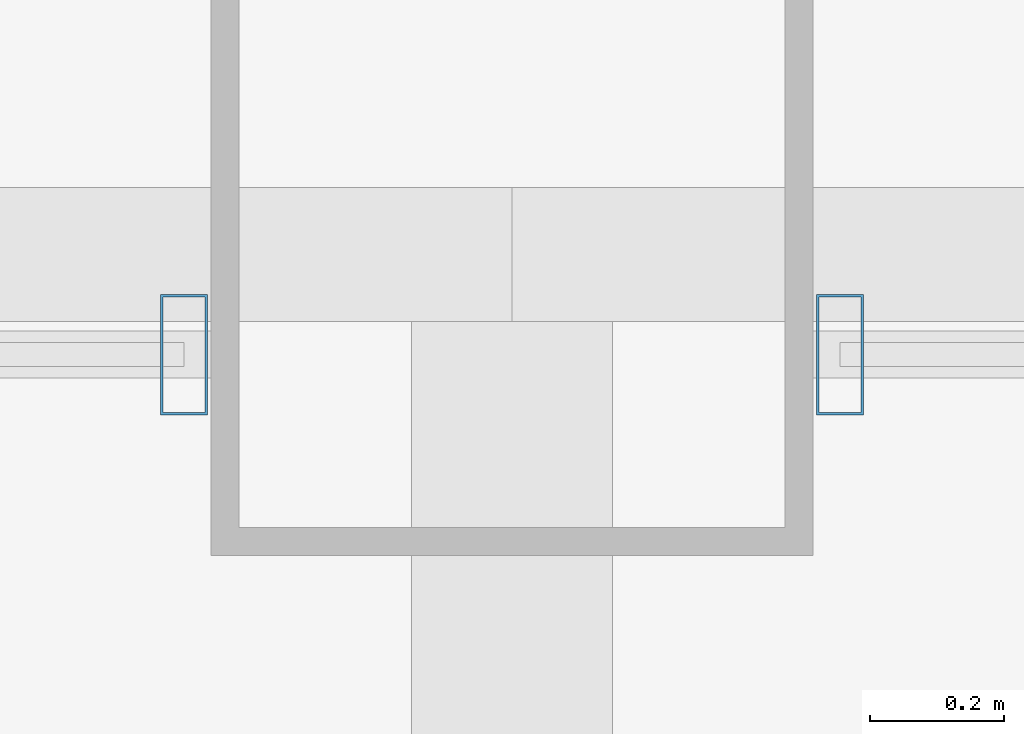
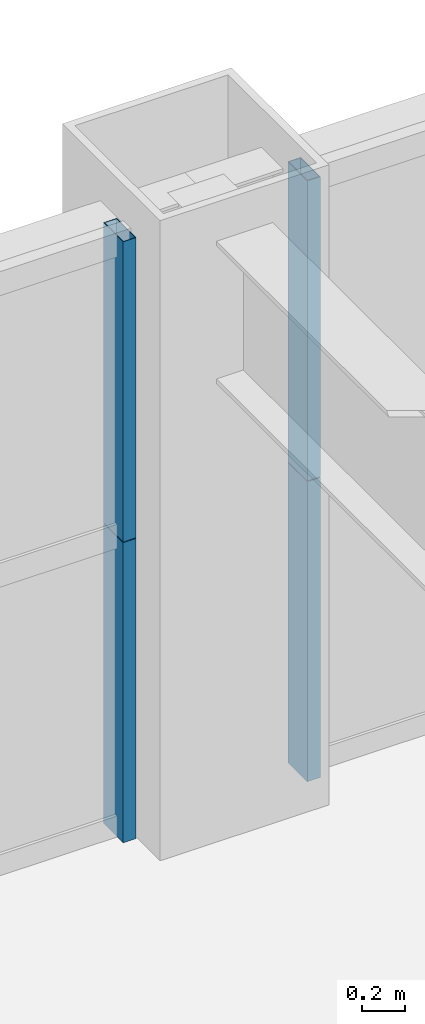
# One storey, part 31 of 45: 4 members, 2 elements without a shape of their own.
"""IFC4 building model written with IfcOpenShell, lengths in metres."""

import ifcopenshell
import ifcopenshell.guid

model = None  # the IFC model being written
_history = None  # IfcOwnerHistory: only IFC2X3 demands one
_inside = {}  # id of a spatial element -> (the spatial element, [elements in it])
_under = {}  # id of a project, library or spatial element -> (it, [spatial elements below it])
_declared = {}  # id of a project -> (the project, [libraries it declares])
_typed = {}  # id of a type object -> (the type object, [elements of that type])
_made_of = {}  # id of a material, layer set ... -> (it, [elements and type objects made of it])


def new_model(schema):
    """Start an empty IFC model of exactly this schema.

    Asked for "IFC4X3", IfcOpenShell would pick the latest addendum, in which some entities
    have other attributes; the version numbers below select the first issue.
    IFC2X3 requires an IfcOwnerHistory on every rooted entity: one is made here for all.
    """
    global model, _history
    if schema == "IFC4X3":
        model = ifcopenshell.file(schema_version=(4, 3, 0, 0))
    else:
        model = ifcopenshell.file(schema=schema)
    _inside.clear()
    _under.clear()
    _declared.clear()
    _typed.clear()
    _made_of.clear()
    _history = None
    if model.schema == "IFC2X3":
        org = make("IfcOrganization", Name="unknown")
        user = make(
            "IfcPersonAndOrganization",
            ThePerson=make("IfcPerson", FamilyName="unknown"),
            TheOrganization=org,
        )
        app = make(
            "IfcApplication",
            ApplicationDeveloper=org,
            Version="unknown",
            ApplicationFullName="unknown",
            ApplicationIdentifier="unknown",
        )
        _history = make(
            "IfcOwnerHistory",
            OwningUser=user,
            OwningApplication=app,
            ChangeAction="ADDED",
            CreationDate=0,
        )
    return model


def make(cls, **values):
    """One entity of the class cls with the attributes given. An attribute that is None is left unset."""
    return model.create_entity(
        cls, **{name: value for name, value in values.items() if value is not None}
    )


def rooted(cls, **values):
    """An entity with a GlobalId (a new one), such as an element, a storey or a relation."""
    return make(cls, GlobalId=ifcopenshell.guid.new(), OwnerHistory=_history, **values)


def si_unit(unit_type, name, prefix=None):
    """IfcSIUnit, for example si_unit("LENGTHUNIT", "METRE", prefix="MILLI")."""
    return make("IfcSIUnit", UnitType=unit_type, Prefix=prefix, Name=name)


def assignment(units):
    """IfcUnitAssignment: the units of a project."""
    return None if units is None else make("IfcUnitAssignment", Units=units)


def point(xyz):
    """IfcCartesianPoint."""
    return None if xyz is None else make("IfcCartesianPoint", Coordinates=xyz)


def direction(xyz):
    """IfcDirection."""
    return None if xyz is None else make("IfcDirection", DirectionRatios=xyz)


def frame(location, z_axis=None, x_axis=None):
    """IfcAxis2Placement3D, a coordinate frame: its origin and axes. An axis left out is left unset."""
    return make(
        "IfcAxis2Placement3D",
        Location=point(location),
        Axis=direction(z_axis),
        RefDirection=direction(x_axis),
    )


def frame_2d(location, x_axis=None):
    """IfcAxis2Placement2D, a coordinate frame in the plane: its origin and x axis."""
    return make(
        "IfcAxis2Placement2D", Location=point(location), RefDirection=direction(x_axis)
    )


def origin():
    """The frame at (0, 0, 0) with its axes left unset."""
    return frame((0.0, 0.0, 0.0))


def origin_2d():
    """The frame at (0, 0) in the plane with its x axis left unset."""
    return frame_2d((0.0, 0.0))


def place(relative_to, where):
    """IfcLocalPlacement: puts the frame where relative to a parent placement (None: the world)."""
    return make(
        "IfcLocalPlacement", PlacementRelTo=relative_to, RelativePlacement=where
    )


def context(
    kind, dimensions, precision=None, world=None, true_north=None, identifier=None
):
    """IfcGeometricRepresentationContext, for example the 3D "Model" context."""
    return make(
        "IfcGeometricRepresentationContext",
        ContextIdentifier=identifier,
        ContextType=kind,
        CoordinateSpaceDimension=dimensions,
        Precision=precision,
        WorldCoordinateSystem=world,
        TrueNorth=true_north,
    )


def subcontext(parent, identifier, kind, view, scale=None):
    """IfcGeometricRepresentationSubContext, for example "Body" below "Model"."""
    return make(
        "IfcGeometricRepresentationSubContext",
        ContextIdentifier=identifier,
        ContextType=kind,
        ParentContext=parent,
        TargetScale=scale,
        TargetView=view,
    )


def project(units=None, contexts=None):
    """IfcProject with its units and contexts."""
    return rooted(
        "IfcProject",
        Name="project",
        RepresentationContexts=contexts,
        UnitsInContext=assignment(units),
    )


def spatial(cls, under=None, at=None, **own):
    """A site, building, storey or space (cls), placed at a placement, below another one or the project."""
    s = rooted(cls, ObjectPlacement=at, **own)
    if under is not None:
        _under.setdefault(under.id(), (under, []))[1].append(s)
    return s


def profile(cls, at=None, kind="AREA", **sizes):
    """A parametric profile (cls). Its sizes go by their IFC names, for example OverallWidth=200.0."""
    return make(cls, ProfileType=kind, Position=at, **sizes)


def hollow_rectangle(**sizes):
    """IfcRectangleHollowProfileDef."""
    return profile("IfcRectangleHollowProfileDef", **sizes)


def extrude(swept, where, along, depth):
    """IfcExtrudedAreaSolid: the profile swept, set in the frame where, extruded along a direction by depth."""
    return make(
        "IfcExtrudedAreaSolid",
        SweptArea=swept,
        Position=where,
        ExtrudedDirection=direction(along),
        Depth=depth,
    )


def shape(context_of_items, identifier, shape_type, items):
    """IfcShapeRepresentation: the items that make up one representation, for example the "Body"."""
    return make(
        "IfcShapeRepresentation",
        ContextOfItems=context_of_items,
        RepresentationIdentifier=identifier,
        RepresentationType=shape_type,
        Items=items,
    )


def source(mapping_origin, context_of_items, identifier, shape_type, items):
    """IfcRepresentationMap: a shape defined once, which mapped items show again and again."""
    return make(
        "IfcRepresentationMap",
        MappingOrigin=mapping_origin,
        MappedRepresentation=shape(context_of_items, identifier, shape_type, items),
    )


def transform(
    local_origin,
    x_axis=None,
    y_axis=None,
    z_axis=None,
    scale=None,
    scale2=None,
    scale3=None,
    uniform=True,
):
    """IfcCartesianTransformationOperator3D, or its non-uniform kind. x_axis, y_axis, z_axis: its Axis1, 2, 3."""
    if uniform:
        return make(
            "IfcCartesianTransformationOperator3D",
            Axis1=direction(x_axis),
            Axis2=direction(y_axis),
            LocalOrigin=point(local_origin),
            Scale=scale,
            Axis3=direction(z_axis),
        )
    return make(
        "IfcCartesianTransformationOperator3DnonUniform",
        Axis1=direction(x_axis),
        Axis2=direction(y_axis),
        LocalOrigin=point(local_origin),
        Scale=scale,
        Axis3=direction(z_axis),
        Scale2=scale2,
        Scale3=scale3,
    )


def mapped(mapping_source, mapping_target):
    """IfcMappedItem: shows the shape of a source again, moved by a transform."""
    return make(
        "IfcMappedItem", MappingSource=mapping_source, MappingTarget=mapping_target
    )


def material(Name=None, Category=None):
    """IfcMaterial."""
    return make("IfcMaterial", Name=Name, Category=Category)


def layer(
    of_material, thickness, ventilated=None, Name=None, Category=None, Priority=None
):
    """IfcMaterialLayer: one layer of a wall or slab, of a material (None: an air gap)."""
    return make(
        "IfcMaterialLayer",
        Material=of_material,
        LayerThickness=thickness,
        IsVentilated=ventilated,
        Name=Name,
        Category=Category,
        Priority=Priority,
    )


def layer_set(layers, Name=None):
    """IfcMaterialLayerSet."""
    return make("IfcMaterialLayerSet", MaterialLayers=layers, LayerSetName=Name)


def material_profile(
    of_material, cross_section, Name=None, Category=None, Priority=None
):
    """IfcMaterialProfile: a cross section and its material."""
    return make(
        "IfcMaterialProfile",
        Name=Name,
        Material=of_material,
        Profile=cross_section,
        Priority=Priority,
        Category=Category,
    )


def profile_set(profiles, Name=None, composite=None):
    """IfcMaterialProfileSet."""
    return make(
        "IfcMaterialProfileSet",
        Name=Name,
        MaterialProfiles=profiles,
        CompositeProfile=composite,
    )


def made_of(thing, what):
    """Note that an element or type object is made of a material, layer set ...; save() writes the relation."""
    if what is not None:
        _made_of.setdefault(what.id(), (what, []))[1].append(thing)
    return thing


def type_object(cls, material=None, **own):
    """A type object (cls), such as IfcWallType, which elements share."""
    return made_of(rooted(cls, **own), material)


def element(
    cls,
    number,
    at=None,
    inside=None,
    cuts=None,
    type_object=None,
    material=None,
    context=None,
    identifier="Body",
    shape_type=None,
    held_by="IfcProductDefinitionShape",
    body=None,
    shapes=None,
    **own,
):
    """One element of the class cls, such as IfcWall. Its Tag is "e" and its number.

    at: its placement. inside: the storey or other place that contains it. cuts: it is an
    opening in that element (IfcRelVoidsElement). A single representation is given by context,
    identifier, shape_type and body (its items); several are given by shapes. held_by: the class
    of the entity that holds the representations. save() writes the other relations.
    """
    e = rooted(cls, Tag="e%d" % number, ObjectPlacement=at, **own)
    if body is not None:
        shapes = [shape(context, identifier, shape_type, body)]
    if shapes is not None:
        e.Representation = make(held_by, Representations=shapes)
    if inside is not None:
        _inside.setdefault(inside.id(), (inside, []))[1].append(e)
    if cuts is not None:
        rooted(
            "IfcRelVoidsElement", RelatingBuildingElement=cuts, RelatedOpeningElement=e
        )
    if type_object is not None:
        _typed.setdefault(type_object.id(), (type_object, []))[1].append(e)
    return made_of(e, material)


def aggregate(whole, parts):
    """IfcRelAggregates: a whole, such as a stair, and the parts it consists of."""
    return rooted("IfcRelAggregates", RelatingObject=whole, RelatedObjects=parts)


def save(model, path):
    """Write the relations noted so far, then the file.

    IfcRelAggregates (storeys below a building ...), IfcRelContainedInSpatialStructure (elements
    in a storey), IfcRelDefinesByType, IfcRelAssociatesMaterial and IfcRelDeclares: one each for
    every whole, place, type object, material and project.
    """
    for whole, parts in _under.values():
        aggregate(whole, parts)
    for where, things in _inside.values():
        rooted(
            "IfcRelContainedInSpatialStructure",
            RelatedElements=things,
            RelatingStructure=where,
        )
    for kind, things in _typed.values():
        rooted("IfcRelDefinesByType", RelatedObjects=things, RelatingType=kind)
    for what, things in _made_of.values():
        rooted("IfcRelAssociatesMaterial", RelatedObjects=things, RelatingMaterial=what)
    for by, libraries in _declared.values():
        rooted("IfcRelDeclares", RelatingContext=by, RelatedDefinitions=libraries)
    model.write(path)


model = new_model("IFC4")

# Units and contexts
model_context = context("Model", 3, precision=1e-05, world=origin(), true_north=direction((0.0, 1.0)))
body_context = subcontext(model_context, "Body", "Model", "MODEL_VIEW")
ifc_project = project(units=[si_unit("LENGTHUNIT", "METRE"), si_unit("AREAUNIT", "SQUARE_METRE"), si_unit("VOLUMEUNIT", "CUBIC_METRE"), si_unit("PLANEANGLEUNIT", "RADIAN"), si_unit("MASSUNIT", "GRAM", prefix="KILO"), si_unit("THERMODYNAMICTEMPERATUREUNIT", "KELVIN"), si_unit("POWERUNIT", "WATT")], contexts=[model_context])

# Site, building, storey
site_placement = place(None, origin())
site = spatial("IfcSite", under=ifc_project, at=site_placement, CompositionType="ELEMENT")
building_placement = place(site_placement, origin())
building = spatial("IfcBuilding", under=site, at=building_placement, Name="Yuzanri Waterfront Tower", CompositionType="ELEMENT")
storey_placement = place(building_placement, frame((0.0, 0.0, 49.60009765625)))
storey = spatial("IfcBuildingStorey", under=building, at=storey_placement, Name="L12", CompositionType="ELEMENT", Elevation=49.60009765625)

# Curtain wall, members
ifc_material_1 = material(Name="Anodized Architectural Bronze", Category="metal")
ifc_layer = layer(ifc_material_1, 0.159912109375)
ifc_layer_set = layer_set([ifc_layer], Name="Anodized Architectural Bronze")
curtain_wall_type = type_object("IfcCurtainWallType", Name="Anodized Bronze Hotel Lower-Tier Recessed Unitized Curtain Wall 8100", PredefinedType="NOTDEFINED", material=ifc_layer_set)
curtain_wall_1_placement = place(storey_placement, origin())
curtain_wall_1 = element("IfcCurtainWall", 1, at=curtain_wall_1_placement, inside=storey, type_object=curtain_wall_type, Name="L12 Curtain Wall CW-L12-NL", PredefinedType="NOTDEFINED")
ifc_material_2 = material(Name="Anodized Architectural Bronze", Category="metal")
ifc_material_profile = material_profile(ifc_material_2, hollow_rectangle(XDim=0.070068359375, YDim=0.179931640625, WallThickness=0.00390625, at=origin_2d()), Name="CWM 70x180")
ifc_profile_set = profile_set([ifc_material_profile], Name="Anodized Architectural Bronze")
member_type = type_object("IfcMemberType", Name="Anodized Bronze Standard Curtain-Wall Mullion 70x180", PredefinedType="MULLION", material=ifc_profile_set)
shared_shape = source(origin(), body_context, "Body", "SweptSolid", [
    extrude(hollow_rectangle(XDim=0.070068359375, YDim=0.179931640625, WallThickness=0.00390625, at=origin_2d()), origin(), (0.0, 0.0, 1.0), 1.68798828125),
])
member_1_placement = place(storey_placement, frame((36.510009765625, 50.75, 0.0), z_axis=(0.0, 0.0, 1.0), x_axis=(1.0, 0.0, 0.0)))
member_1 = element("IfcMember", 2, at=member_1_placement, type_object=member_type, Name="CW-L12-NL Lower Mullion 02", PredefinedType="MULLION", context=body_context, shape_type="MappedRepresentation", body=[
    mapped(shared_shape, transform((0.0, 0.0, 0.0), scale=1.0)),
])
member_2_placement = place(storey_placement, frame((36.510009765625, 50.75, 1.69189453125), z_axis=(0.0, 0.0, 1.0), x_axis=(1.0, 0.0, 0.0)))
member_2 = element("IfcMember", 3, at=member_2_placement, type_object=member_type, Name="CW-L12-NL Upper Mullion 02", PredefinedType="MULLION", context=body_context, shape_type="MappedRepresentation", body=[
    mapped(shared_shape, transform((0.0, 0.0, 0.0), scale=1.0)),
])
aggregate(curtain_wall_1, [member_1, member_2])

curtain_wall_2_placement = place(storey_placement, origin())
curtain_wall_2 = element("IfcCurtainWall", 4, at=curtain_wall_2_placement, inside=storey, type_object=curtain_wall_type, Name="L12 Curtain Wall CW-L12-NR", PredefinedType="NOTDEFINED")
member_3_placement = place(storey_placement, frame((37.489990234375, 50.75, 0.0), z_axis=(0.0, 0.0, 1.0), x_axis=(1.0, 0.0, 0.0)))
member_3 = element("IfcMember", 5, at=member_3_placement, type_object=member_type, Name="CW-L12-NR Lower Mullion 00", PredefinedType="MULLION", context=body_context, shape_type="MappedRepresentation", body=[
    mapped(shared_shape, transform((0.0, 0.0, 0.0), scale=1.0)),
])
member_4_placement = place(storey_placement, frame((37.489990234375, 50.75, 1.69189453125), z_axis=(0.0, 0.0, 1.0), x_axis=(1.0, 0.0, 0.0)))
member_4 = element("IfcMember", 6, at=member_4_placement, type_object=member_type, Name="CW-L12-NR Upper Mullion 00", PredefinedType="MULLION", context=body_context, shape_type="MappedRepresentation", body=[
    mapped(shared_shape, transform((0.0, 0.0, 0.0), scale=1.0)),
])
aggregate(curtain_wall_2, [member_3, member_4])

save(model, "model.ifc")
